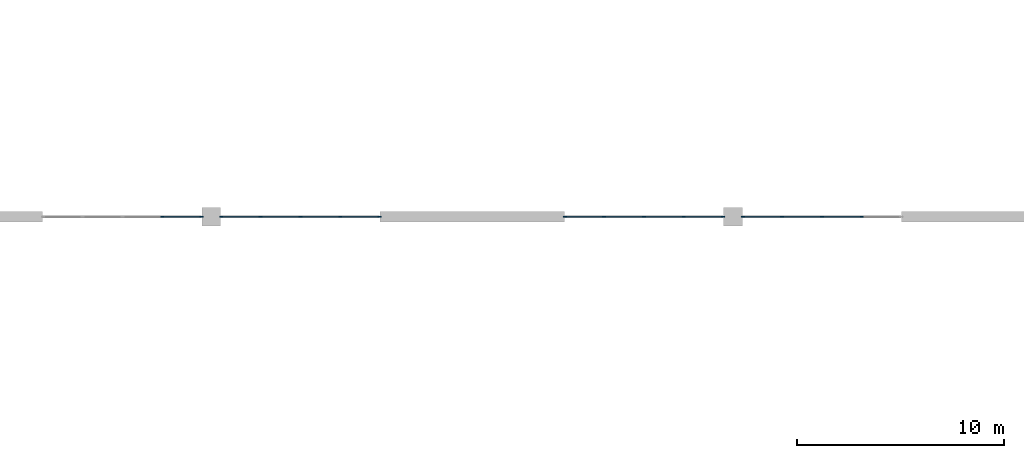
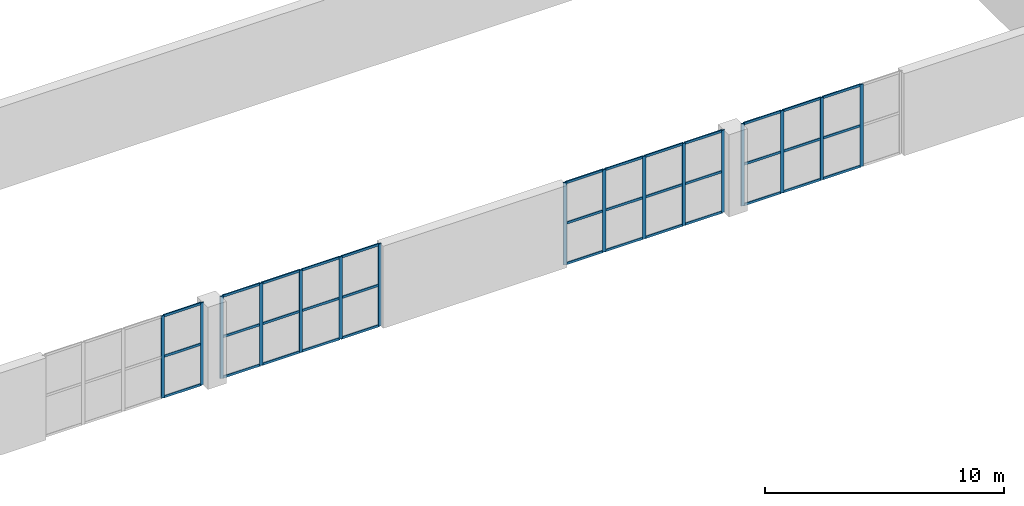
# One storey, part 17 of 51: 52 members, 4 elements without a shape of their own.
"""IFC4 building model written with IfcOpenShell, lengths in metres."""

from ifc_helpers import new_model, si_unit, direction, frame, origin, origin_2d, place, context, subcontext, project, spatial, rectangle, extrude, material, layer, layer_set, material_profile, profile_set, type_object, element, aggregate, save


model = new_model("IFC4")

# Units and contexts
model_context = context("Model", 3, precision=1e-05, world=origin(), true_north=direction((0.0, 1.0)))
body_context = subcontext(model_context, "Body", "Model", "MODEL_VIEW")
ifc_project = project(units=[si_unit("LENGTHUNIT", "METRE"), si_unit("AREAUNIT", "SQUARE_METRE"), si_unit("VOLUMEUNIT", "CUBIC_METRE"), si_unit("PLANEANGLEUNIT", "RADIAN"), si_unit("MASSUNIT", "GRAM", prefix="KILO")], contexts=[model_context])

# Site, building, storey
site_placement = place(None, origin())
site = spatial("IfcSite", under=ifc_project, at=site_placement, CompositionType="ELEMENT")
building_placement = place(site_placement, origin())
building = spatial("IfcBuilding", under=site, at=building_placement, Name="Cresset Court Congress Hotel", CompositionType="ELEMENT")
storey_placement = place(building_placement, frame((0.0, 0.0, 18.60009765625)))
storey = spatial("IfcBuildingStorey", under=building, at=storey_placement, Name="L04", CompositionType="ELEMENT", Elevation=18.60009765625)

# Curtain wall, members
ifc_material_1 = material(Name="Aluminium and glass", Category="aluminium")
ifc_layer = layer(ifc_material_1, 0.199951171875)
ifc_layer_set = layer_set([ifc_layer], Name="Clerestory curtain wall 1925 module")
curtain_wall_type = type_object("IfcCurtainWallType", Name="Clerestory curtain wall 1925 module", PredefinedType="NOTDEFINED", material=ifc_layer_set)
curtain_wall_1_placement = place(storey_placement, origin())
curtain_wall_1 = element("IfcCurtainWall", 1, at=curtain_wall_1_placement, inside=storey, type_object=curtain_wall_type, Name="Clerestory CX-04S1", PredefinedType="NOTDEFINED")
ifc_material_2 = material(Name="Anodised aluminium", Category="aluminium")
ifc_material_profile_1 = material_profile(ifc_material_2, rectangle(XDim=0.06005859375, YDim=0.159912109375, at=origin_2d()), Name="AL60x160")
ifc_profile_set_1 = profile_set([ifc_material_profile_1], Name="Anodised aluminium")
member_type_1 = type_object("IfcMemberType", Name="Curtain wall mullion 60x160", PredefinedType="MULLION", material=ifc_profile_set_1)
member_1_placement = place(storey_placement, frame((73.22509765625, 58.800048828125, 0.0), z_axis=(0.0, 0.0, 1.0), x_axis=(0.0, 1.0, 0.0)))
member_1 = element("IfcMember", 2, at=member_1_placement, type_object=member_type_1, Name="C-X5 mullion 4", PredefinedType="MULLION", context=body_context, shape_type="SweptSolid", body=[
    extrude(rectangle(XDim=0.06005859375, YDim=0.159912109375, at=origin_2d()), origin(), (0.0, 0.0, 1.0), 4.199951171875),
])
member_2_placement = place(storey_placement, frame((75.1201171875, 58.800048828125, 0.0), z_axis=(0.0, 0.0, 1.0), x_axis=(0.0, 1.0, 0.0)))
member_2 = element("IfcMember", 3, at=member_2_placement, type_object=member_type_1, Name="C-X5 mullion 5", PredefinedType="MULLION", context=body_context, shape_type="SweptSolid", body=[
    extrude(rectangle(XDim=0.06005859375, YDim=0.159912109375, at=origin_2d()), origin(), (0.0, 0.0, 1.0), 4.199951171875),
])

curtain_wall_2_placement = place(storey_placement, origin())
curtain_wall_2 = element("IfcCurtainWall", 4, at=curtain_wall_2_placement, inside=storey, type_object=curtain_wall_type, Name="Clerestory CX-04S2", PredefinedType="NOTDEFINED")
member_3_placement = place(storey_placement, frame((76.080078125, 58.800048828125, 0.0), z_axis=(0.0, 0.0, 1.0), x_axis=(0.0, 1.0, 0.0)))
member_3 = element("IfcMember", 5, at=member_3_placement, type_object=member_type_1, Name="C-X5 mullion 1", PredefinedType="MULLION", context=body_context, shape_type="SweptSolid", body=[
    extrude(rectangle(XDim=0.06005859375, YDim=0.159912109375, at=origin_2d()), origin(), (0.0, 0.0, 1.0), 4.199951171875),
])
member_4_placement = place(storey_placement, frame((77.97509765625, 58.800048828125, 0.0), z_axis=(0.0, 0.0, 1.0), x_axis=(0.0, 1.0, 0.0)))
member_4 = element("IfcMember", 6, at=member_4_placement, type_object=member_type_1, Name="C-X5 mullion 2", PredefinedType="MULLION", context=body_context, shape_type="SweptSolid", body=[
    extrude(rectangle(XDim=0.06005859375, YDim=0.159912109375, at=origin_2d()), origin(), (0.0, 0.0, 1.0), 4.199951171875),
])
member_5_placement = place(storey_placement, frame((79.89990234375, 58.800048828125, 0.0), z_axis=(0.0, 0.0, 1.0), x_axis=(0.0, 1.0, 0.0)))
member_5 = element("IfcMember", 7, at=member_5_placement, type_object=member_type_1, Name="C-X5 mullion 3", PredefinedType="MULLION", context=body_context, shape_type="SweptSolid", body=[
    extrude(rectangle(XDim=0.06005859375, YDim=0.159912109375, at=origin_2d()), origin(), (0.0, 0.0, 1.0), 4.199951171875),
])
member_6_placement = place(storey_placement, frame((81.824951171875, 58.800048828125, 0.0), z_axis=(0.0, 0.0, 1.0), x_axis=(0.0, 1.0, 0.0)))
member_6 = element("IfcMember", 8, at=member_6_placement, type_object=member_type_1, Name="C-X5 mullion 4", PredefinedType="MULLION", context=body_context, shape_type="SweptSolid", body=[
    extrude(rectangle(XDim=0.06005859375, YDim=0.159912109375, at=origin_2d()), origin(), (0.0, 0.0, 1.0), 4.199951171875),
])
member_7_placement = place(storey_placement, frame((83.719970703125, 58.800048828125, 0.0), z_axis=(0.0, 0.0, 1.0), x_axis=(0.0, 1.0, 0.0)))
member_7 = element("IfcMember", 9, at=member_7_placement, type_object=member_type_1, Name="C-X5 mullion 5", PredefinedType="MULLION", context=body_context, shape_type="SweptSolid", body=[
    extrude(rectangle(XDim=0.06005859375, YDim=0.159912109375, at=origin_2d()), origin(), (0.0, 0.0, 1.0), 4.199951171875),
])

curtain_wall_3_placement = place(storey_placement, origin())
curtain_wall_3 = element("IfcCurtainWall", 10, at=curtain_wall_3_placement, inside=storey, type_object=curtain_wall_type, Name="Clerestory CX-04S3", PredefinedType="NOTDEFINED")
member_8_placement = place(storey_placement, frame((92.679931640625, 58.800048828125, 0.0), z_axis=(0.0, 0.0, 1.0), x_axis=(0.0, 1.0, 0.0)))
member_8 = element("IfcMember", 11, at=member_8_placement, type_object=member_type_1, Name="C-X5 mullion 1", PredefinedType="MULLION", context=body_context, shape_type="SweptSolid", body=[
    extrude(rectangle(XDim=0.06005859375, YDim=0.159912109375, at=origin_2d()), origin(), (0.0, 0.0, 1.0), 4.199951171875),
])
member_9_placement = place(storey_placement, frame((94.574951171875, 58.800048828125, 0.0), z_axis=(0.0, 0.0, 1.0), x_axis=(0.0, 1.0, 0.0)))
member_9 = element("IfcMember", 12, at=member_9_placement, type_object=member_type_1, Name="C-X5 mullion 2", PredefinedType="MULLION", context=body_context, shape_type="SweptSolid", body=[
    extrude(rectangle(XDim=0.06005859375, YDim=0.159912109375, at=origin_2d()), origin(), (0.0, 0.0, 1.0), 4.199951171875),
])
member_10_placement = place(storey_placement, frame((96.5, 58.800048828125, 0.0), z_axis=(0.0, 0.0, 1.0), x_axis=(0.0, 1.0, 0.0)))
member_10 = element("IfcMember", 13, at=member_10_placement, type_object=member_type_1, Name="C-X5 mullion 3", PredefinedType="MULLION", context=body_context, shape_type="SweptSolid", body=[
    extrude(rectangle(XDim=0.06005859375, YDim=0.159912109375, at=origin_2d()), origin(), (0.0, 0.0, 1.0), 4.199951171875),
])
member_11_placement = place(storey_placement, frame((98.425048828125, 58.800048828125, 0.0), z_axis=(0.0, 0.0, 1.0), x_axis=(0.0, 1.0, 0.0)))
member_11 = element("IfcMember", 14, at=member_11_placement, type_object=member_type_1, Name="C-X5 mullion 4", PredefinedType="MULLION", context=body_context, shape_type="SweptSolid", body=[
    extrude(rectangle(XDim=0.06005859375, YDim=0.159912109375, at=origin_2d()), origin(), (0.0, 0.0, 1.0), 4.199951171875),
])
member_12_placement = place(storey_placement, frame((100.320068359375, 58.800048828125, 0.0), z_axis=(0.0, 0.0, 1.0), x_axis=(0.0, 1.0, 0.0)))
member_12 = element("IfcMember", 15, at=member_12_placement, type_object=member_type_1, Name="C-X5 mullion 5", PredefinedType="MULLION", context=body_context, shape_type="SweptSolid", body=[
    extrude(rectangle(XDim=0.06005859375, YDim=0.159912109375, at=origin_2d()), origin(), (0.0, 0.0, 1.0), 4.199951171875),
])

curtain_wall_4_placement = place(storey_placement, origin())
curtain_wall_4 = element("IfcCurtainWall", 16, at=curtain_wall_4_placement, inside=storey, type_object=curtain_wall_type, Name="Clerestory CX-04S4", PredefinedType="NOTDEFINED")
member_13_placement = place(storey_placement, frame((101.280029296875, 58.800048828125, 0.0), z_axis=(0.0, 0.0, 1.0), x_axis=(0.0, 1.0, 0.0)))
member_13 = element("IfcMember", 17, at=member_13_placement, type_object=member_type_1, Name="C-X5 mullion 1", PredefinedType="MULLION", context=body_context, shape_type="SweptSolid", body=[
    extrude(rectangle(XDim=0.06005859375, YDim=0.159912109375, at=origin_2d()), origin(), (0.0, 0.0, 1.0), 4.199951171875),
])
member_14_placement = place(storey_placement, frame((103.175048828125, 58.800048828125, 0.0), z_axis=(0.0, 0.0, 1.0), x_axis=(0.0, 1.0, 0.0)))
member_14 = element("IfcMember", 18, at=member_14_placement, type_object=member_type_1, Name="C-X5 mullion 2", PredefinedType="MULLION", context=body_context, shape_type="SweptSolid", body=[
    extrude(rectangle(XDim=0.06005859375, YDim=0.159912109375, at=origin_2d()), origin(), (0.0, 0.0, 1.0), 4.199951171875),
])
member_15_placement = place(storey_placement, frame((105.10009765625, 58.800048828125, 0.0), z_axis=(0.0, 0.0, 1.0), x_axis=(0.0, 1.0, 0.0)))
member_15 = element("IfcMember", 19, at=member_15_placement, type_object=member_type_1, Name="C-X5 mullion 3", PredefinedType="MULLION", context=body_context, shape_type="SweptSolid", body=[
    extrude(rectangle(XDim=0.06005859375, YDim=0.159912109375, at=origin_2d()), origin(), (0.0, 0.0, 1.0), 4.199951171875),
])
member_16_placement = place(storey_placement, frame((107.02490234375, 58.800048828125, 0.0), z_axis=(0.0, 0.0, 1.0), x_axis=(0.0, 1.0, 0.0)))
member_16 = element("IfcMember", 20, at=member_16_placement, type_object=member_type_1, Name="C-X5 mullion 4", PredefinedType="MULLION", context=body_context, shape_type="SweptSolid", body=[
    extrude(rectangle(XDim=0.06005859375, YDim=0.159912109375, at=origin_2d()), origin(), (0.0, 0.0, 1.0), 4.199951171875),
])

# Member
ifc_material_3 = material(Name="Anodised aluminium", Category="aluminium")
ifc_material_profile_2 = material_profile(ifc_material_3, rectangle(XDim=0.06005859375, YDim=0.1201171875, at=origin_2d()), Name="AL60x120")
ifc_profile_set_2 = profile_set([ifc_material_profile_2], Name="Anodised aluminium")
member_type_2 = type_object("IfcMemberType", Name="Curtain wall transom 60x120", PredefinedType="USERDEFINED", material=ifc_profile_set_2)
member_17_placement = place(storey_placement, frame((73.2548828125, 58.800048828125, 0.02978515625), z_axis=(1.0, 0.0, 0.0), x_axis=(0.0, 1.0, 0.0)))
member_17 = element("IfcMember", 21, at=member_17_placement, type_object=member_type_2, Name="C-X5 transom 4.1", ObjectType="TRANSOM", PredefinedType="USERDEFINED", context=body_context, shape_type="SweptSolid", body=[
    extrude(rectangle(XDim=0.06005859375, YDim=0.1201171875, at=origin_2d()), origin(), (0.0, 0.0, 1.0), 1.835205078125),
])

member_18_placement = place(storey_placement, frame((73.2548828125, 58.800048828125, 2.099853515625), z_axis=(1.0, 0.0, 0.0), x_axis=(0.0, 1.0, 0.0)))
member_18 = element("IfcMember", 22, at=member_18_placement, type_object=member_type_2, Name="C-X5 transom 4.2", ObjectType="TRANSOM", PredefinedType="USERDEFINED", context=body_context, shape_type="SweptSolid", body=[
    extrude(rectangle(XDim=0.06005859375, YDim=0.1201171875, at=origin_2d()), origin(), (0.0, 0.0, 1.0), 1.835205078125),
])

member_19_placement = place(storey_placement, frame((73.2548828125, 58.800048828125, 4.169921875), z_axis=(1.0, 0.0, 0.0), x_axis=(0.0, 1.0, 0.0)))
member_19 = element("IfcMember", 23, at=member_19_placement, type_object=member_type_2, Name="C-X5 transom 4.3", ObjectType="TRANSOM", PredefinedType="USERDEFINED", context=body_context, shape_type="SweptSolid", body=[
    extrude(rectangle(XDim=0.06005859375, YDim=0.1201171875, at=origin_2d()), origin(), (0.0, 0.0, 1.0), 1.835205078125),
])

aggregate(curtain_wall_1, [member_1, member_2, member_17, member_18, member_19])

member_20_placement = place(storey_placement, frame((76.110107421875, 58.800048828125, 0.02978515625), z_axis=(1.0, 0.0, 0.0), x_axis=(0.0, 1.0, 0.0)))
member_20 = element("IfcMember", 24, at=member_20_placement, type_object=member_type_2, Name="C-X5 transom 1.1", ObjectType="TRANSOM", PredefinedType="USERDEFINED", context=body_context, shape_type="SweptSolid", body=[
    extrude(rectangle(XDim=0.06005859375, YDim=0.1201171875, at=origin_2d()), origin(), (0.0, 0.0, 1.0), 1.8349609375),
])

member_21_placement = place(storey_placement, frame((76.110107421875, 58.800048828125, 2.099853515625), z_axis=(1.0, 0.0, 0.0), x_axis=(0.0, 1.0, 0.0)))
member_21 = element("IfcMember", 25, at=member_21_placement, type_object=member_type_2, Name="C-X5 transom 1.2", ObjectType="TRANSOM", PredefinedType="USERDEFINED", context=body_context, shape_type="SweptSolid", body=[
    extrude(rectangle(XDim=0.06005859375, YDim=0.1201171875, at=origin_2d()), origin(), (0.0, 0.0, 1.0), 1.8349609375),
])

member_22_placement = place(storey_placement, frame((76.110107421875, 58.800048828125, 4.169921875), z_axis=(1.0, 0.0, 0.0), x_axis=(0.0, 1.0, 0.0)))
member_22 = element("IfcMember", 26, at=member_22_placement, type_object=member_type_2, Name="C-X5 transom 1.3", ObjectType="TRANSOM", PredefinedType="USERDEFINED", context=body_context, shape_type="SweptSolid", body=[
    extrude(rectangle(XDim=0.06005859375, YDim=0.1201171875, at=origin_2d()), origin(), (0.0, 0.0, 1.0), 1.8349609375),
])

member_23_placement = place(storey_placement, frame((78.0048828125, 58.800048828125, 0.02978515625), z_axis=(1.0, 0.0, 0.0), x_axis=(0.0, 1.0, 0.0)))
member_23 = element("IfcMember", 27, at=member_23_placement, type_object=member_type_2, Name="C-X5 transom 2.1", ObjectType="TRANSOM", PredefinedType="USERDEFINED", context=body_context, shape_type="SweptSolid", body=[
    extrude(rectangle(XDim=0.06005859375, YDim=0.1201171875, at=origin_2d()), origin(), (0.0, 0.0, 1.0), 1.865234375),
])

member_24_placement = place(storey_placement, frame((78.0048828125, 58.800048828125, 2.099853515625), z_axis=(1.0, 0.0, 0.0), x_axis=(0.0, 1.0, 0.0)))
member_24 = element("IfcMember", 28, at=member_24_placement, type_object=member_type_2, Name="C-X5 transom 2.2", ObjectType="TRANSOM", PredefinedType="USERDEFINED", context=body_context, shape_type="SweptSolid", body=[
    extrude(rectangle(XDim=0.06005859375, YDim=0.1201171875, at=origin_2d()), origin(), (0.0, 0.0, 1.0), 1.865234375),
])

member_25_placement = place(storey_placement, frame((78.0048828125, 58.800048828125, 4.169921875), z_axis=(1.0, 0.0, 0.0), x_axis=(0.0, 1.0, 0.0)))
member_25 = element("IfcMember", 29, at=member_25_placement, type_object=member_type_2, Name="C-X5 transom 2.3", ObjectType="TRANSOM", PredefinedType="USERDEFINED", context=body_context, shape_type="SweptSolid", body=[
    extrude(rectangle(XDim=0.06005859375, YDim=0.1201171875, at=origin_2d()), origin(), (0.0, 0.0, 1.0), 1.865234375),
])

member_26_placement = place(storey_placement, frame((79.929931640625, 58.800048828125, 0.02978515625), z_axis=(1.0, 0.0, 0.0), x_axis=(0.0, 1.0, 0.0)))
member_26 = element("IfcMember", 30, at=member_26_placement, type_object=member_type_2, Name="C-X5 transom 3.1", ObjectType="TRANSOM", PredefinedType="USERDEFINED", context=body_context, shape_type="SweptSolid", body=[
    extrude(rectangle(XDim=0.06005859375, YDim=0.1201171875, at=origin_2d()), origin(), (0.0, 0.0, 1.0), 1.864990234375),
])

member_27_placement = place(storey_placement, frame((79.929931640625, 58.800048828125, 2.099853515625), z_axis=(1.0, 0.0, 0.0), x_axis=(0.0, 1.0, 0.0)))
member_27 = element("IfcMember", 31, at=member_27_placement, type_object=member_type_2, Name="C-X5 transom 3.2", ObjectType="TRANSOM", PredefinedType="USERDEFINED", context=body_context, shape_type="SweptSolid", body=[
    extrude(rectangle(XDim=0.06005859375, YDim=0.1201171875, at=origin_2d()), origin(), (0.0, 0.0, 1.0), 1.864990234375),
])

member_28_placement = place(storey_placement, frame((79.929931640625, 58.800048828125, 4.169921875), z_axis=(1.0, 0.0, 0.0), x_axis=(0.0, 1.0, 0.0)))
member_28 = element("IfcMember", 32, at=member_28_placement, type_object=member_type_2, Name="C-X5 transom 3.3", ObjectType="TRANSOM", PredefinedType="USERDEFINED", context=body_context, shape_type="SweptSolid", body=[
    extrude(rectangle(XDim=0.06005859375, YDim=0.1201171875, at=origin_2d()), origin(), (0.0, 0.0, 1.0), 1.864990234375),
])

member_29_placement = place(storey_placement, frame((81.85498046875, 58.800048828125, 0.02978515625), z_axis=(1.0, 0.0, 0.0), x_axis=(0.0, 1.0, 0.0)))
member_29 = element("IfcMember", 33, at=member_29_placement, type_object=member_type_2, Name="C-X5 transom 4.1", ObjectType="TRANSOM", PredefinedType="USERDEFINED", context=body_context, shape_type="SweptSolid", body=[
    extrude(rectangle(XDim=0.06005859375, YDim=0.1201171875, at=origin_2d()), origin(), (0.0, 0.0, 1.0), 1.8349609375),
])

member_30_placement = place(storey_placement, frame((81.85498046875, 58.800048828125, 2.099853515625), z_axis=(1.0, 0.0, 0.0), x_axis=(0.0, 1.0, 0.0)))
member_30 = element("IfcMember", 34, at=member_30_placement, type_object=member_type_2, Name="C-X5 transom 4.2", ObjectType="TRANSOM", PredefinedType="USERDEFINED", context=body_context, shape_type="SweptSolid", body=[
    extrude(rectangle(XDim=0.06005859375, YDim=0.1201171875, at=origin_2d()), origin(), (0.0, 0.0, 1.0), 1.8349609375),
])

member_31_placement = place(storey_placement, frame((81.85498046875, 58.800048828125, 4.169921875), z_axis=(1.0, 0.0, 0.0), x_axis=(0.0, 1.0, 0.0)))
member_31 = element("IfcMember", 35, at=member_31_placement, type_object=member_type_2, Name="C-X5 transom 4.3", ObjectType="TRANSOM", PredefinedType="USERDEFINED", context=body_context, shape_type="SweptSolid", body=[
    extrude(rectangle(XDim=0.06005859375, YDim=0.1201171875, at=origin_2d()), origin(), (0.0, 0.0, 1.0), 1.8349609375),
])

aggregate(curtain_wall_2, [member_3, member_4, member_5, member_6, member_7, member_20, member_21, member_22, member_23, member_24, member_25, member_26, member_27, member_28, member_29, member_30, member_31])

member_32_placement = place(storey_placement, frame((92.7099609375, 58.800048828125, 0.02978515625), z_axis=(1.0, 0.0, 0.0), x_axis=(0.0, 1.0, 0.0)))
member_32 = element("IfcMember", 36, at=member_32_placement, type_object=member_type_2, Name="C-X5 transom 1.1", ObjectType="TRANSOM", PredefinedType="USERDEFINED", context=body_context, shape_type="SweptSolid", body=[
    extrude(rectangle(XDim=0.06005859375, YDim=0.1201171875, at=origin_2d()), origin(), (0.0, 0.0, 1.0), 1.8349609375),
])

member_33_placement = place(storey_placement, frame((92.7099609375, 58.800048828125, 2.099853515625), z_axis=(1.0, 0.0, 0.0), x_axis=(0.0, 1.0, 0.0)))
member_33 = element("IfcMember", 37, at=member_33_placement, type_object=member_type_2, Name="C-X5 transom 1.2", ObjectType="TRANSOM", PredefinedType="USERDEFINED", context=body_context, shape_type="SweptSolid", body=[
    extrude(rectangle(XDim=0.06005859375, YDim=0.1201171875, at=origin_2d()), origin(), (0.0, 0.0, 1.0), 1.8349609375),
])

member_34_placement = place(storey_placement, frame((92.7099609375, 58.800048828125, 4.169921875), z_axis=(1.0, 0.0, 0.0), x_axis=(0.0, 1.0, 0.0)))
member_34 = element("IfcMember", 38, at=member_34_placement, type_object=member_type_2, Name="C-X5 transom 1.3", ObjectType="TRANSOM", PredefinedType="USERDEFINED", context=body_context, shape_type="SweptSolid", body=[
    extrude(rectangle(XDim=0.06005859375, YDim=0.1201171875, at=origin_2d()), origin(), (0.0, 0.0, 1.0), 1.8349609375),
])

member_35_placement = place(storey_placement, frame((94.60498046875, 58.800048828125, 0.02978515625), z_axis=(1.0, 0.0, 0.0), x_axis=(0.0, 1.0, 0.0)))
member_35 = element("IfcMember", 39, at=member_35_placement, type_object=member_type_2, Name="C-X5 transom 2.1", ObjectType="TRANSOM", PredefinedType="USERDEFINED", context=body_context, shape_type="SweptSolid", body=[
    extrude(rectangle(XDim=0.06005859375, YDim=0.1201171875, at=origin_2d()), origin(), (0.0, 0.0, 1.0), 1.864990234375),
])

member_36_placement = place(storey_placement, frame((94.60498046875, 58.800048828125, 2.099853515625), z_axis=(1.0, 0.0, 0.0), x_axis=(0.0, 1.0, 0.0)))
member_36 = element("IfcMember", 40, at=member_36_placement, type_object=member_type_2, Name="C-X5 transom 2.2", ObjectType="TRANSOM", PredefinedType="USERDEFINED", context=body_context, shape_type="SweptSolid", body=[
    extrude(rectangle(XDim=0.06005859375, YDim=0.1201171875, at=origin_2d()), origin(), (0.0, 0.0, 1.0), 1.864990234375),
])

member_37_placement = place(storey_placement, frame((94.60498046875, 58.800048828125, 4.169921875), z_axis=(1.0, 0.0, 0.0), x_axis=(0.0, 1.0, 0.0)))
member_37 = element("IfcMember", 41, at=member_37_placement, type_object=member_type_2, Name="C-X5 transom 2.3", ObjectType="TRANSOM", PredefinedType="USERDEFINED", context=body_context, shape_type="SweptSolid", body=[
    extrude(rectangle(XDim=0.06005859375, YDim=0.1201171875, at=origin_2d()), origin(), (0.0, 0.0, 1.0), 1.864990234375),
])

member_38_placement = place(storey_placement, frame((96.530029296875, 58.800048828125, 0.02978515625), z_axis=(1.0, 0.0, 0.0), x_axis=(0.0, 1.0, 0.0)))
member_38 = element("IfcMember", 42, at=member_38_placement, type_object=member_type_2, Name="C-X5 transom 3.1", ObjectType="TRANSOM", PredefinedType="USERDEFINED", context=body_context, shape_type="SweptSolid", body=[
    extrude(rectangle(XDim=0.06005859375, YDim=0.1201171875, at=origin_2d()), origin(), (0.0, 0.0, 1.0), 1.864990234375),
])

member_39_placement = place(storey_placement, frame((96.530029296875, 58.800048828125, 2.099853515625), z_axis=(1.0, 0.0, 0.0), x_axis=(0.0, 1.0, 0.0)))
member_39 = element("IfcMember", 43, at=member_39_placement, type_object=member_type_2, Name="C-X5 transom 3.2", ObjectType="TRANSOM", PredefinedType="USERDEFINED", context=body_context, shape_type="SweptSolid", body=[
    extrude(rectangle(XDim=0.06005859375, YDim=0.1201171875, at=origin_2d()), origin(), (0.0, 0.0, 1.0), 1.864990234375),
])

member_40_placement = place(storey_placement, frame((96.530029296875, 58.800048828125, 4.169921875), z_axis=(1.0, 0.0, 0.0), x_axis=(0.0, 1.0, 0.0)))
member_40 = element("IfcMember", 44, at=member_40_placement, type_object=member_type_2, Name="C-X5 transom 3.3", ObjectType="TRANSOM", PredefinedType="USERDEFINED", context=body_context, shape_type="SweptSolid", body=[
    extrude(rectangle(XDim=0.06005859375, YDim=0.1201171875, at=origin_2d()), origin(), (0.0, 0.0, 1.0), 1.864990234375),
])

member_41_placement = place(storey_placement, frame((98.455078125, 58.800048828125, 0.02978515625), z_axis=(1.0, 0.0, 0.0), x_axis=(0.0, 1.0, 0.0)))
member_41 = element("IfcMember", 45, at=member_41_placement, type_object=member_type_2, Name="C-X5 transom 4.1", ObjectType="TRANSOM", PredefinedType="USERDEFINED", context=body_context, shape_type="SweptSolid", body=[
    extrude(rectangle(XDim=0.06005859375, YDim=0.1201171875, at=origin_2d()), origin(), (0.0, 0.0, 1.0), 1.8349609375),
])

member_42_placement = place(storey_placement, frame((98.455078125, 58.800048828125, 2.099853515625), z_axis=(1.0, 0.0, 0.0), x_axis=(0.0, 1.0, 0.0)))
member_42 = element("IfcMember", 46, at=member_42_placement, type_object=member_type_2, Name="C-X5 transom 4.2", ObjectType="TRANSOM", PredefinedType="USERDEFINED", context=body_context, shape_type="SweptSolid", body=[
    extrude(rectangle(XDim=0.06005859375, YDim=0.1201171875, at=origin_2d()), origin(), (0.0, 0.0, 1.0), 1.8349609375),
])

member_43_placement = place(storey_placement, frame((98.455078125, 58.800048828125, 4.169921875), z_axis=(1.0, 0.0, 0.0), x_axis=(0.0, 1.0, 0.0)))
member_43 = element("IfcMember", 47, at=member_43_placement, type_object=member_type_2, Name="C-X5 transom 4.3", ObjectType="TRANSOM", PredefinedType="USERDEFINED", context=body_context, shape_type="SweptSolid", body=[
    extrude(rectangle(XDim=0.06005859375, YDim=0.1201171875, at=origin_2d()), origin(), (0.0, 0.0, 1.0), 1.8349609375),
])

aggregate(curtain_wall_3, [member_8, member_9, member_10, member_11, member_12, member_32, member_33, member_34, member_35, member_36, member_37, member_38, member_39, member_40, member_41, member_42, member_43])

member_44_placement = place(storey_placement, frame((101.31005859375, 58.800048828125, 0.02978515625), z_axis=(1.0, 0.0, 0.0), x_axis=(0.0, 1.0, 0.0)))
member_44 = element("IfcMember", 48, at=member_44_placement, type_object=member_type_2, Name="C-X5 transom 1.1", ObjectType="TRANSOM", PredefinedType="USERDEFINED", context=body_context, shape_type="SweptSolid", body=[
    extrude(rectangle(XDim=0.06005859375, YDim=0.1201171875, at=origin_2d()), origin(), (0.0, 0.0, 1.0), 1.8349609375),
])

member_45_placement = place(storey_placement, frame((101.31005859375, 58.800048828125, 2.099853515625), z_axis=(1.0, 0.0, 0.0), x_axis=(0.0, 1.0, 0.0)))
member_45 = element("IfcMember", 49, at=member_45_placement, type_object=member_type_2, Name="C-X5 transom 1.2", ObjectType="TRANSOM", PredefinedType="USERDEFINED", context=body_context, shape_type="SweptSolid", body=[
    extrude(rectangle(XDim=0.06005859375, YDim=0.1201171875, at=origin_2d()), origin(), (0.0, 0.0, 1.0), 1.8349609375),
])

member_46_placement = place(storey_placement, frame((101.31005859375, 58.800048828125, 4.169921875), z_axis=(1.0, 0.0, 0.0), x_axis=(0.0, 1.0, 0.0)))
member_46 = element("IfcMember", 50, at=member_46_placement, type_object=member_type_2, Name="C-X5 transom 1.3", ObjectType="TRANSOM", PredefinedType="USERDEFINED", context=body_context, shape_type="SweptSolid", body=[
    extrude(rectangle(XDim=0.06005859375, YDim=0.1201171875, at=origin_2d()), origin(), (0.0, 0.0, 1.0), 1.8349609375),
])

member_47_placement = place(storey_placement, frame((103.205078125, 58.800048828125, 0.02978515625), z_axis=(1.0, 0.0, 0.0), x_axis=(0.0, 1.0, 0.0)))
member_47 = element("IfcMember", 51, at=member_47_placement, type_object=member_type_2, Name="C-X5 transom 2.1", ObjectType="TRANSOM", PredefinedType="USERDEFINED", context=body_context, shape_type="SweptSolid", body=[
    extrude(rectangle(XDim=0.06005859375, YDim=0.1201171875, at=origin_2d()), origin(), (0.0, 0.0, 1.0), 1.864990234375),
])

member_48_placement = place(storey_placement, frame((103.205078125, 58.800048828125, 2.099853515625), z_axis=(1.0, 0.0, 0.0), x_axis=(0.0, 1.0, 0.0)))
member_48 = element("IfcMember", 52, at=member_48_placement, type_object=member_type_2, Name="C-X5 transom 2.2", ObjectType="TRANSOM", PredefinedType="USERDEFINED", context=body_context, shape_type="SweptSolid", body=[
    extrude(rectangle(XDim=0.06005859375, YDim=0.1201171875, at=origin_2d()), origin(), (0.0, 0.0, 1.0), 1.864990234375),
])

member_49_placement = place(storey_placement, frame((103.205078125, 58.800048828125, 4.169921875), z_axis=(1.0, 0.0, 0.0), x_axis=(0.0, 1.0, 0.0)))
member_49 = element("IfcMember", 53, at=member_49_placement, type_object=member_type_2, Name="C-X5 transom 2.3", ObjectType="TRANSOM", PredefinedType="USERDEFINED", context=body_context, shape_type="SweptSolid", body=[
    extrude(rectangle(XDim=0.06005859375, YDim=0.1201171875, at=origin_2d()), origin(), (0.0, 0.0, 1.0), 1.864990234375),
])

member_50_placement = place(storey_placement, frame((105.1298828125, 58.800048828125, 0.02978515625), z_axis=(1.0, 0.0, 0.0), x_axis=(0.0, 1.0, 0.0)))
member_50 = element("IfcMember", 54, at=member_50_placement, type_object=member_type_2, Name="C-X5 transom 3.1", ObjectType="TRANSOM", PredefinedType="USERDEFINED", context=body_context, shape_type="SweptSolid", body=[
    extrude(rectangle(XDim=0.06005859375, YDim=0.1201171875, at=origin_2d()), origin(), (0.0, 0.0, 1.0), 1.865234375),
])

member_51_placement = place(storey_placement, frame((105.1298828125, 58.800048828125, 2.099853515625), z_axis=(1.0, 0.0, 0.0), x_axis=(0.0, 1.0, 0.0)))
member_51 = element("IfcMember", 55, at=member_51_placement, type_object=member_type_2, Name="C-X5 transom 3.2", ObjectType="TRANSOM", PredefinedType="USERDEFINED", context=body_context, shape_type="SweptSolid", body=[
    extrude(rectangle(XDim=0.06005859375, YDim=0.1201171875, at=origin_2d()), origin(), (0.0, 0.0, 1.0), 1.865234375),
])

member_52_placement = place(storey_placement, frame((105.1298828125, 58.800048828125, 4.169921875), z_axis=(1.0, 0.0, 0.0), x_axis=(0.0, 1.0, 0.0)))
member_52 = element("IfcMember", 56, at=member_52_placement, type_object=member_type_2, Name="C-X5 transom 3.3", ObjectType="TRANSOM", PredefinedType="USERDEFINED", context=body_context, shape_type="SweptSolid", body=[
    extrude(rectangle(XDim=0.06005859375, YDim=0.1201171875, at=origin_2d()), origin(), (0.0, 0.0, 1.0), 1.865234375),
])

aggregate(curtain_wall_4, [member_13, member_14, member_15, member_16, member_44, member_45, member_46, member_47, member_48, member_49, member_50, member_51, member_52])

save(model, "model.ifc")
